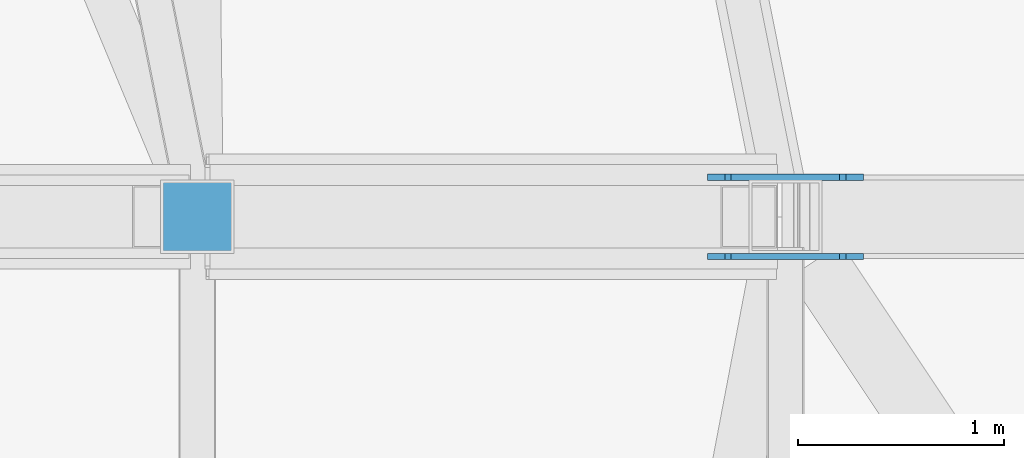
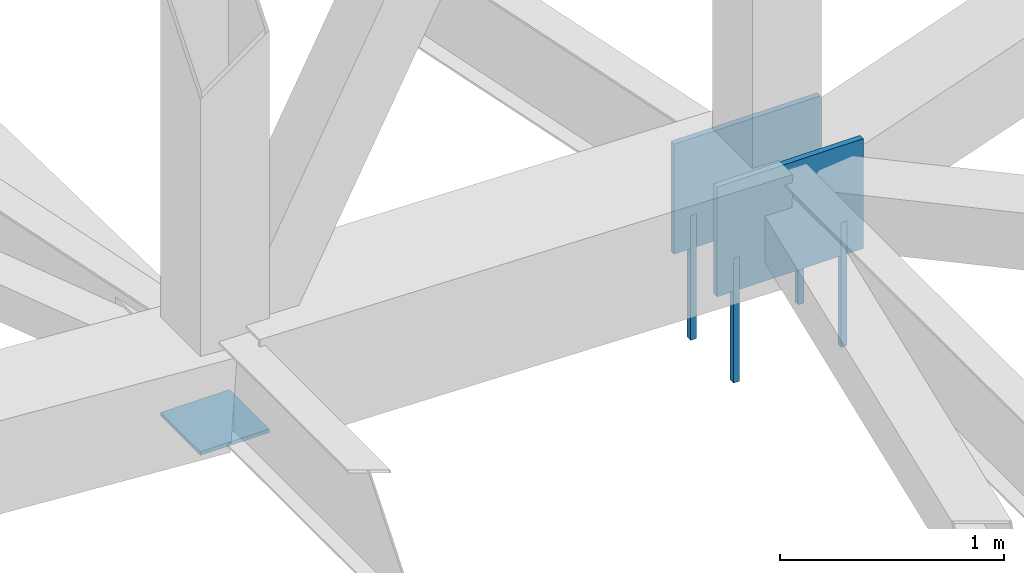
# One storey, part 252 of 278: 4 mechanical fasteners, 3 discrete accessories.
"""IFC4 building model written with IfcOpenShell, lengths in metres."""

from ifc_helpers import new_model, si_unit, direction, frame, origin, origin_2d, place, context, subcontext, project, spatial, rectangle, extrude, material, layer, layer_set, type_object, element, save


model = new_model("IFC4")

# Units and contexts
model_context = context("Model", 3, precision=1e-05, world=origin(), true_north=direction((0.0, 1.0)))
body_context = subcontext(model_context, "Body", "Model", "MODEL_VIEW")
ifc_project = project(units=[si_unit("LENGTHUNIT", "METRE"), si_unit("AREAUNIT", "SQUARE_METRE"), si_unit("VOLUMEUNIT", "CUBIC_METRE"), si_unit("PLANEANGLEUNIT", "RADIAN"), si_unit("MASSUNIT", "GRAM", prefix="KILO")], contexts=[model_context])

# Site, building, storey
site_placement = place(None, origin())
site = spatial("IfcSite", under=ifc_project, at=site_placement, CompositionType="ELEMENT")
building_placement = place(site_placement, origin())
building = spatial("IfcBuilding", under=site, at=building_placement, Name="Ogive Plaza Stadium", CompositionType="ELEMENT")
storey_placement = place(building_placement, frame((0.0, 0.0, 29.0)))
storey = spatial("IfcBuildingStorey", under=building, at=storey_placement, Name="Roof", CompositionType="ELEMENT", Elevation=29.0)

# Mechanical fasteners
ifc_material_1 = material(Name="Steel ASTM A992 Grade 50", Category="steel")
mechanical_fastener_type = type_object("IfcMechanicalFastenerType", Name="Anchor bolt M30 x 600", PredefinedType="ANCHORBOLT", material=ifc_material_1)
for number, where, z_axis, x_axis, name in (
    (1, (74.27783203125, 52.69189453125, -0.5), (0.0, 0.0, 1.0), (1.0, 0.0, 0.0), "ANCHOR BOLT 01 BP 1.1"),
    (2, (73.72216796875, 52.69189453125, -0.5), (0.0, 0.0, 1.0), (1.0, 0.0, 0.0), "ANCHOR BOLT 01 BP 1.2"),
    (3, (74.27783203125, 52.30810546875, -0.5), (0.0, 0.0, 1.0), (1.0, 0.0, 0.0), "ANCHOR BOLT 01 BP 2.1"),
    (4, (73.72216796875, 52.30810546875, -0.5), (0.0, 0.0, 1.0), (1.0, 0.0, 0.0), "ANCHOR BOLT 01 BP 2.2"),
):
    element("IfcMechanicalFastener", number, at=place(storey_placement, frame(where, z_axis=z_axis, x_axis=x_axis)), inside=storey, type_object=mechanical_fastener_type, Name=name, PredefinedType="ANCHORBOLT", context=body_context, shape_type="SweptSolid", body=[
        extrude(rectangle(XDim=0.030029296875, YDim=0.030029296875, at=origin_2d()), origin(), (0.0, 0.0, 1.0), 0.679931640625),
    ])

# Discrete accessories
ifc_material_2 = material(Name="Steel ASTM A992 Grade 50", Category="steel")
ifc_layer_1 = layer(ifc_material_2, 0.02001953125)
ifc_layer_set_1 = layer_set([ifc_layer_1], Name="Steel ASTM A992 Grade 50")
discrete_accessory_type_1 = type_object("IfcDiscreteAccessoryType", Name="Roof truss post cap plate 20", PredefinedType="ANCHORPLATE", material=ifc_layer_set_1)
discrete_accessory_placement = place(storey_placement, frame((71.14990234375, 52.5, 0.04541015625), z_axis=(0.0, 0.0, 1.0), x_axis=(1.0, 0.0, 0.0)))
element("IfcDiscreteAccessory", 5, at=discrete_accessory_placement, inside=storey, type_object=discrete_accessory_type_1, Name="ROOF TRUSS POST CAP PLATE 01 10", PredefinedType="ANCHORPLATE", context=body_context, shape_type="SweptSolid", body=[
    extrude(rectangle(XDim=0.355712890625, YDim=0.355712890625, at=origin_2d()), origin(), (0.0, 0.0, 1.0), 0.02001953125),
])
ifc_material_3 = material(Name="Steel ASTM A992 Grade 50", Category="steel")
ifc_layer_2 = layer(ifc_material_3, 0.030029296875)
ifc_layer_set_2 = layer_set([ifc_layer_2], Name="Steel ASTM A992 Grade 50")
discrete_accessory_type_2 = type_object("IfcDiscreteAccessoryType", Name="Truss root foot cleat plate 30", PredefinedType="ANCHORPLATE", material=ifc_layer_set_2)
for number, where, z_axis, x_axis, name in (
    (6, (74.0, 52.69189453125, 0.0), (0.0, 0.0, 1.0), (1.0, 0.0, 0.0), "TRUSS ROOT FOOT CLEAT PLATE 01 1"),
    (7, (74.0, 52.30810546875, 0.0), (0.0, 0.0, 1.0), (1.0, 0.0, 0.0), "TRUSS ROOT FOOT CLEAT PLATE 01 2"),
):
    element("IfcDiscreteAccessory", number, at=place(storey_placement, frame(where, z_axis=z_axis, x_axis=x_axis)), inside=storey, type_object=discrete_accessory_type_2, Name=name, PredefinedType="ANCHORPLATE", context=body_context, shape_type="SweptSolid", body=[
        extrude(rectangle(XDim=0.755615234375, YDim=0.030029296875, at=origin_2d()), origin(), (0.0, 0.0, 1.0), 0.60009765625),
    ])

save(model, "model.ifc")
